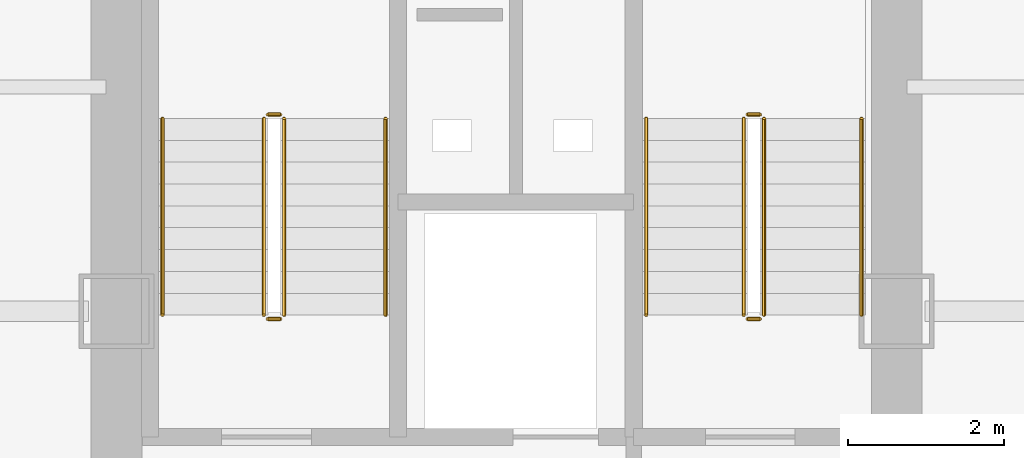
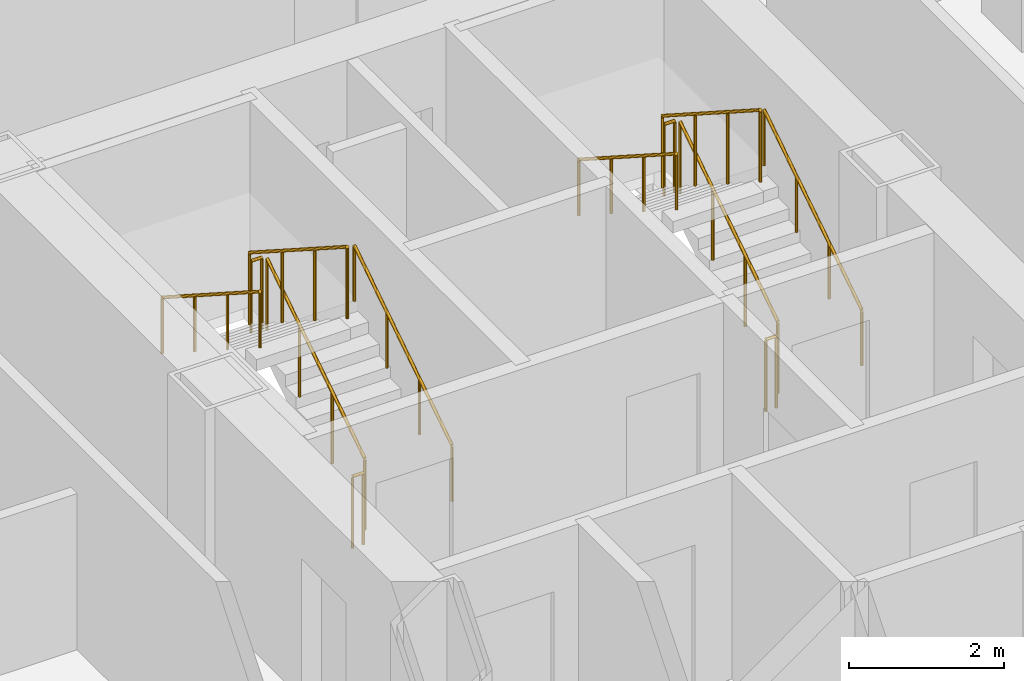
# One storey, part 21 of 22: 12 railings.
"""IFC4 building model written with IfcOpenShell, lengths in metres."""

from ifc_helpers import new_model, si_unit, direction, frame, origin, origin_2d, place, context, subcontext, project, spatial, circle, extrude, material, type_object, element, save


model = new_model("IFC4")

# Units and contexts
model_context = context("Model", 3, precision=1e-05, world=origin(), true_north=direction((0.0, 1.0)))
body_context = subcontext(model_context, "Body", "Model", "MODEL_VIEW")
ifc_project = project(units=[si_unit("LENGTHUNIT", "METRE"), si_unit("AREAUNIT", "SQUARE_METRE"), si_unit("VOLUMEUNIT", "CUBIC_METRE"), si_unit("PLANEANGLEUNIT", "RADIAN"), si_unit("MASSUNIT", "GRAM", prefix="KILO")], contexts=[model_context])

# Site, building, storey
site_placement = place(None, origin())
site = spatial("IfcSite", under=ifc_project, at=site_placement, CompositionType="ELEMENT")
building_placement = place(site_placement, origin())
building = spatial("IfcBuilding", under=site, at=building_placement, Name="Kolveth Station Tower", CompositionType="ELEMENT")
storey_placement = place(building_placement, frame((0.0, 0.0, 84.60009765625)))
storey = spatial("IfcBuildingStorey", under=building, at=storey_placement, Name="L22", CompositionType="ELEMENT", Elevation=84.60009765625)

# Railings
ifc_material_1 = material(Name="Painted Steel S355 balustrade", Category="steel")
railing_type_1 = type_object("IfcRailingType", Name="Guard_GR2", PredefinedType="BALUSTRADE", material=ifc_material_1)
railing_1_placement = place(storey_placement, frame((20.64990234375, 22.949951171875, 0.179931640625)))
element("IfcRailing", 1, at=railing_1_placement, inside=storey, type_object=railing_type_1, Name="L22 ST1 stair guard 1", PredefinedType="BALUSTRADE", context=body_context, shape_type="SweptSolid", body=[
    extrude(circle(Radius=0.02392578125, at=origin_2d()), frame((0.0, 0.0, 1.1259765625), z_axis=(0.0, 0.841199657755, 0.540724639528), x_axis=(-1.0, 0.0, 0.0)), (0.0, 0.0, 1.0), 2.995849609375),
    extrude(circle(Radius=0.02099609375, at=origin_2d()), origin(), (0.0, 0.0, 1.0), 1.101806640625),
    extrude(circle(Radius=0.02099609375, at=origin_2d()), frame((0.0, 0.840087890625, 0.5400390625)), (0.0, 0.0, 1.0), 1.101806640625),
    extrude(circle(Radius=0.02099609375, at=origin_2d()), frame((0.0, 1.679931640625, 1.079833984375)), (0.0, 0.0, 1.0), 1.101806640625),
    extrude(circle(Radius=0.02099609375, at=origin_2d()), frame((0.0, 2.52001953125, 1.619873046875)), (0.0, 0.0, 1.0), 1.101806640625),
])
railing_2_placement = place(storey_placement, frame((20.60009765625, 25.52001953125, 1.7998046875)))
element("IfcRailing", 2, at=railing_2_placement, inside=storey, type_object=railing_type_1, Name="L22 ST1 stair guard 2", PredefinedType="BALUSTRADE", context=body_context, shape_type="SweptSolid", body=[
    extrude(circle(Radius=0.02392578125, at=origin_2d()), frame((0.0, 0.0, 1.1259765625), z_axis=(-1.0, 0.0, 0.0), x_axis=(0.0, -1.0, 0.0)), (0.0, 0.0, 1.0), 0.16015625),
    extrude(circle(Radius=0.02099609375, at=origin_2d()), origin(), (0.0, 0.0, 1.0), 1.101806640625),
    extrude(circle(Radius=0.02099609375, at=origin_2d()), frame((-0.16015625, 0.0, 0.0)), (0.0, 0.0, 1.0), 1.101806640625),
])
railing_3_placement = place(storey_placement, frame((20.389892578125, 25.469970703125, 1.97998046875)))
element("IfcRailing", 3, at=railing_3_placement, inside=storey, type_object=railing_type_1, Name="L22 ST1 stair guard 3", PredefinedType="BALUSTRADE", context=body_context, shape_type="SweptSolid", body=[
    extrude(circle(Radius=0.02392578125, at=origin_2d()), frame((0.0, 0.0, 1.1259765625), z_axis=(0.0, -0.841199657755, 0.540724639528), x_axis=(1.0, 0.0, 0.0)), (0.0, 0.0, 1.0), 2.995849609375),
    extrude(circle(Radius=0.02099609375, at=origin_2d()), origin(), (0.0, 0.0, 1.0), 1.101806640625),
    extrude(circle(Radius=0.02099609375, at=origin_2d()), frame((0.0, -0.840087890625, 0.5400390625)), (0.0, 0.0, 1.0), 1.101806640625),
    extrude(circle(Radius=0.02099609375, at=origin_2d()), frame((0.0, -1.679931640625, 1.079833984375)), (0.0, 0.0, 1.0), 1.101806640625),
    extrude(circle(Radius=0.02099609375, at=origin_2d()), frame((0.0, -2.52001953125, 1.619873046875)), (0.0, 0.0, 1.0), 1.101806640625),
])
railing_4_placement = place(storey_placement, frame((20.60009765625, 22.89990234375, 0.0)))
element("IfcRailing", 4, at=railing_4_placement, inside=storey, type_object=railing_type_1, Name="L22 ST1 stair guard 4", PredefinedType="BALUSTRADE", context=body_context, shape_type="SweptSolid", body=[
    extrude(circle(Radius=0.02392578125, at=origin_2d()), frame((0.0, 0.0, 1.1259765625), z_axis=(-1.0, 0.0, 0.0), x_axis=(0.0, -1.0, 0.0)), (0.0, 0.0, 1.0), 0.16015625),
    extrude(circle(Radius=0.02099609375, at=origin_2d()), origin(), (0.0, 0.0, 1.0), 1.101806640625),
    extrude(circle(Radius=0.02099609375, at=origin_2d()), frame((-0.16015625, 0.0, 0.0)), (0.0, 0.0, 1.0), 1.101806640625),
])
railing_5_placement = place(storey_placement, frame((26.800048828125, 22.949951171875, 0.179931640625)))
element("IfcRailing", 5, at=railing_5_placement, inside=storey, type_object=railing_type_1, Name="L22 ST2 stair guard 1", PredefinedType="BALUSTRADE", context=body_context, shape_type="SweptSolid", body=[
    extrude(circle(Radius=0.02392578125, at=origin_2d()), frame((0.0, 0.0, 1.1259765625), z_axis=(0.0, 0.841199657755, 0.540724639528), x_axis=(-1.0, 0.0, 0.0)), (0.0, 0.0, 1.0), 2.995849609375),
    extrude(circle(Radius=0.02099609375, at=origin_2d()), origin(), (0.0, 0.0, 1.0), 1.101806640625),
    extrude(circle(Radius=0.02099609375, at=origin_2d()), frame((0.0, 0.840087890625, 0.5400390625)), (0.0, 0.0, 1.0), 1.101806640625),
    extrude(circle(Radius=0.02099609375, at=origin_2d()), frame((0.0, 1.679931640625, 1.079833984375)), (0.0, 0.0, 1.0), 1.101806640625),
    extrude(circle(Radius=0.02099609375, at=origin_2d()), frame((0.0, 2.52001953125, 1.619873046875)), (0.0, 0.0, 1.0), 1.101806640625),
])
railing_6_placement = place(storey_placement, frame((26.75, 25.52001953125, 1.7998046875)))
element("IfcRailing", 6, at=railing_6_placement, inside=storey, type_object=railing_type_1, Name="L22 ST2 stair guard 2", PredefinedType="BALUSTRADE", context=body_context, shape_type="SweptSolid", body=[
    extrude(circle(Radius=0.02392578125, at=origin_2d()), frame((0.0, 0.0, 1.1259765625), z_axis=(-1.0, 0.0, 0.0), x_axis=(0.0, -1.0, 0.0)), (0.0, 0.0, 1.0), 0.159912109375),
    extrude(circle(Radius=0.02099609375, at=origin_2d()), origin(), (0.0, 0.0, 1.0), 1.101806640625),
    extrude(circle(Radius=0.02099609375, at=origin_2d()), frame((-0.159912109375, 0.0, 0.0)), (0.0, 0.0, 1.0), 1.101806640625),
])
railing_7_placement = place(storey_placement, frame((26.5400390625, 25.469970703125, 1.97998046875)))
element("IfcRailing", 7, at=railing_7_placement, inside=storey, type_object=railing_type_1, Name="L22 ST2 stair guard 3", PredefinedType="BALUSTRADE", context=body_context, shape_type="SweptSolid", body=[
    extrude(circle(Radius=0.02392578125, at=origin_2d()), frame((0.0, 0.0, 1.1259765625), z_axis=(0.0, -0.841199657755, 0.540724639528), x_axis=(1.0, 0.0, 0.0)), (0.0, 0.0, 1.0), 2.995849609375),
    extrude(circle(Radius=0.02099609375, at=origin_2d()), origin(), (0.0, 0.0, 1.0), 1.101806640625),
    extrude(circle(Radius=0.02099609375, at=origin_2d()), frame((0.0, -0.840087890625, 0.5400390625)), (0.0, 0.0, 1.0), 1.101806640625),
    extrude(circle(Radius=0.02099609375, at=origin_2d()), frame((0.0, -1.679931640625, 1.079833984375)), (0.0, 0.0, 1.0), 1.101806640625),
    extrude(circle(Radius=0.02099609375, at=origin_2d()), frame((0.0, -2.52001953125, 1.619873046875)), (0.0, 0.0, 1.0), 1.101806640625),
])
railing_8_placement = place(storey_placement, frame((26.75, 22.89990234375, 0.0)))
element("IfcRailing", 8, at=railing_8_placement, inside=storey, type_object=railing_type_1, Name="L22 ST2 stair guard 4", PredefinedType="BALUSTRADE", context=body_context, shape_type="SweptSolid", body=[
    extrude(circle(Radius=0.02392578125, at=origin_2d()), frame((0.0, 0.0, 1.1259765625), z_axis=(-1.0, 0.0, 0.0), x_axis=(0.0, -1.0, 0.0)), (0.0, 0.0, 1.0), 0.159912109375),
    extrude(circle(Radius=0.02099609375, at=origin_2d()), origin(), (0.0, 0.0, 1.0), 1.101806640625),
    extrude(circle(Radius=0.02099609375, at=origin_2d()), frame((-0.159912109375, 0.0, 0.0)), (0.0, 0.0, 1.0), 1.101806640625),
])
ifc_material_2 = material(Name="Brushed stainless steel", Category="steel")
railing_type_2 = type_object("IfcRailingType", Name="Handrail_HR1", PredefinedType="HANDRAIL", material=ifc_material_2)
railing_9_placement = place(storey_placement, frame((21.949951171875, 22.949951171875, 0.179931640625)))
element("IfcRailing", 9, at=railing_9_placement, inside=storey, type_object=railing_type_2, Name="L22 ST1 stair handrail 1", PredefinedType="HANDRAIL", context=body_context, shape_type="SweptSolid", body=[
    extrude(circle(Radius=0.02392578125, at=origin_2d()), frame((0.0, 0.0, 0.8759765625), z_axis=(0.0, 0.841199657755, 0.540724639528), x_axis=(-1.0, 0.0, 0.0)), (0.0, 0.0, 1.0), 2.995849609375),
    extrude(circle(Radius=0.02099609375, at=origin_2d()), origin(), (0.0, 0.0, 1.0), 0.851806640625),
    extrude(circle(Radius=0.02099609375, at=origin_2d()), frame((0.0, 0.840087890625, 0.5400390625)), (0.0, 0.0, 1.0), 0.851806640625),
    extrude(circle(Radius=0.02099609375, at=origin_2d()), frame((0.0, 1.679931640625, 1.079833984375)), (0.0, 0.0, 1.0), 0.851806640625),
    extrude(circle(Radius=0.02099609375, at=origin_2d()), frame((0.0, 2.52001953125, 1.619873046875)), (0.0, 0.0, 1.0), 0.851806640625),
])
railing_10_placement = place(storey_placement, frame((19.090087890625, 25.469970703125, 1.97998046875)))
element("IfcRailing", 10, at=railing_10_placement, inside=storey, type_object=railing_type_2, Name="L22 ST1 stair handrail 2", PredefinedType="HANDRAIL", context=body_context, shape_type="SweptSolid", body=[
    extrude(circle(Radius=0.02392578125, at=origin_2d()), frame((0.0, 0.0, 0.8759765625), z_axis=(0.0, -0.841199657755, 0.540724639528), x_axis=(1.0, 0.0, 0.0)), (0.0, 0.0, 1.0), 2.995849609375),
    extrude(circle(Radius=0.02099609375, at=origin_2d()), origin(), (0.0, 0.0, 1.0), 0.851806640625),
    extrude(circle(Radius=0.02099609375, at=origin_2d()), frame((0.0, -0.840087890625, 0.5400390625)), (0.0, 0.0, 1.0), 0.851806640625),
    extrude(circle(Radius=0.02099609375, at=origin_2d()), frame((0.0, -1.679931640625, 1.079833984375)), (0.0, 0.0, 1.0), 0.851806640625),
    extrude(circle(Radius=0.02099609375, at=origin_2d()), frame((0.0, -2.52001953125, 1.619873046875)), (0.0, 0.0, 1.0), 0.851806640625),
])
railing_11_placement = place(storey_placement, frame((28.050048828125, 22.949951171875, 0.179931640625)))
element("IfcRailing", 11, at=railing_11_placement, inside=storey, type_object=railing_type_2, Name="L22 ST2 stair handrail 1", PredefinedType="HANDRAIL", context=body_context, shape_type="SweptSolid", body=[
    extrude(circle(Radius=0.02392578125, at=origin_2d()), frame((0.0, 0.0, 0.8759765625), z_axis=(0.0, 0.841199657755, 0.540724639528), x_axis=(-1.0, 0.0, 0.0)), (0.0, 0.0, 1.0), 2.995849609375),
    extrude(circle(Radius=0.02099609375, at=origin_2d()), origin(), (0.0, 0.0, 1.0), 0.851806640625),
    extrude(circle(Radius=0.02099609375, at=origin_2d()), frame((0.0, 0.840087890625, 0.5400390625)), (0.0, 0.0, 1.0), 0.851806640625),
    extrude(circle(Radius=0.02099609375, at=origin_2d()), frame((0.0, 1.679931640625, 1.079833984375)), (0.0, 0.0, 1.0), 0.851806640625),
    extrude(circle(Radius=0.02099609375, at=origin_2d()), frame((0.0, 2.52001953125, 1.619873046875)), (0.0, 0.0, 1.0), 0.851806640625),
])
railing_12_placement = place(storey_placement, frame((25.2900390625, 25.469970703125, 1.97998046875)))
element("IfcRailing", 12, at=railing_12_placement, inside=storey, type_object=railing_type_2, Name="L22 ST2 stair handrail 2", PredefinedType="HANDRAIL", context=body_context, shape_type="SweptSolid", body=[
    extrude(circle(Radius=0.02392578125, at=origin_2d()), frame((0.0, 0.0, 0.8759765625), z_axis=(0.0, -0.841199657755, 0.540724639528), x_axis=(1.0, 0.0, 0.0)), (0.0, 0.0, 1.0), 2.995849609375),
    extrude(circle(Radius=0.02099609375, at=origin_2d()), origin(), (0.0, 0.0, 1.0), 0.851806640625),
    extrude(circle(Radius=0.02099609375, at=origin_2d()), frame((0.0, -0.840087890625, 0.5400390625)), (0.0, 0.0, 1.0), 0.851806640625),
    extrude(circle(Radius=0.02099609375, at=origin_2d()), frame((0.0, -1.679931640625, 1.079833984375)), (0.0, 0.0, 1.0), 0.851806640625),
    extrude(circle(Radius=0.02099609375, at=origin_2d()), frame((0.0, -2.52001953125, 1.619873046875)), (0.0, 0.0, 1.0), 0.851806640625),
])

save(model, "model.ifc")
